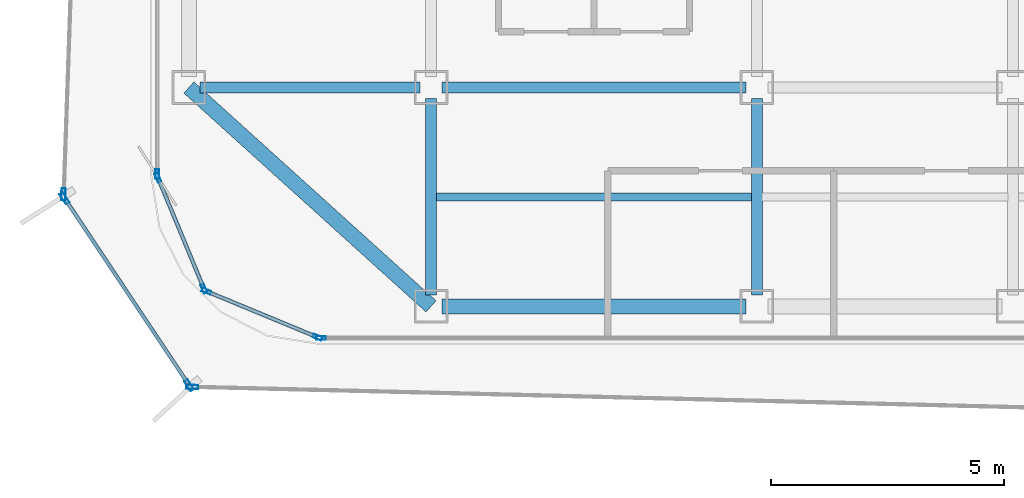
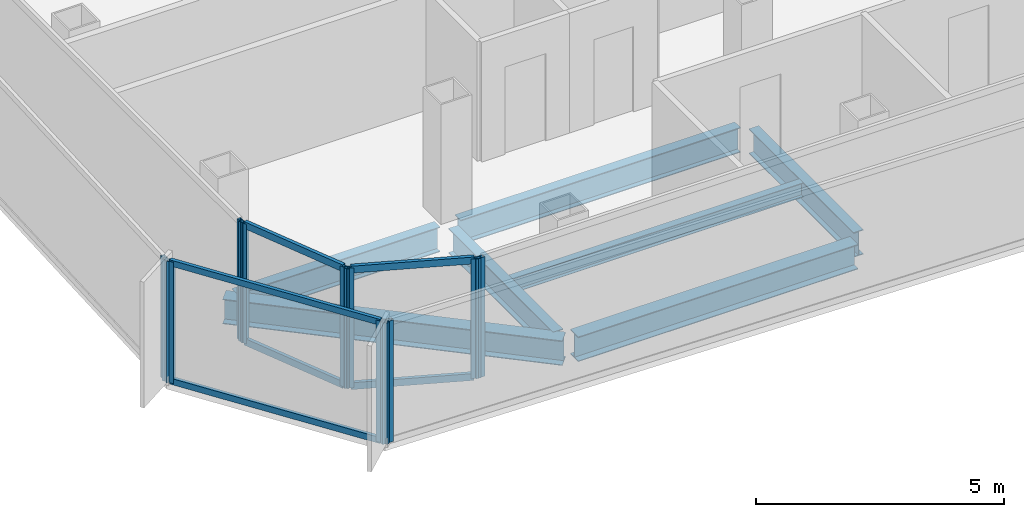
# One storey, part 2 of 15: 16 members, 7 beams, 7 elements without a shape of their own.
"""IFC4 building model written with IfcOpenShell, lengths in metres."""

import ifcopenshell
import ifcopenshell.guid

model = None  # the IFC model being written
_history = None  # IfcOwnerHistory: only IFC2X3 demands one
_inside = {}  # id of a spatial element -> (the spatial element, [elements in it])
_under = {}  # id of a project, library or spatial element -> (it, [spatial elements below it])
_declared = {}  # id of a project -> (the project, [libraries it declares])
_typed = {}  # id of a type object -> (the type object, [elements of that type])
_made_of = {}  # id of a material, layer set ... -> (it, [elements and type objects made of it])


def new_model(schema):
    """Start an empty IFC model of exactly this schema.

    Asked for "IFC4X3", IfcOpenShell would pick the latest addendum, in which some entities
    have other attributes; the version numbers below select the first issue.
    IFC2X3 requires an IfcOwnerHistory on every rooted entity: one is made here for all.
    """
    global model, _history
    if schema == "IFC4X3":
        model = ifcopenshell.file(schema_version=(4, 3, 0, 0))
    else:
        model = ifcopenshell.file(schema=schema)
    _inside.clear()
    _under.clear()
    _declared.clear()
    _typed.clear()
    _made_of.clear()
    _history = None
    if model.schema == "IFC2X3":
        org = make("IfcOrganization", Name="unknown")
        user = make(
            "IfcPersonAndOrganization",
            ThePerson=make("IfcPerson", FamilyName="unknown"),
            TheOrganization=org,
        )
        app = make(
            "IfcApplication",
            ApplicationDeveloper=org,
            Version="unknown",
            ApplicationFullName="unknown",
            ApplicationIdentifier="unknown",
        )
        _history = make(
            "IfcOwnerHistory",
            OwningUser=user,
            OwningApplication=app,
            ChangeAction="ADDED",
            CreationDate=0,
        )
    return model


def make(cls, **values):
    """One entity of the class cls with the attributes given. An attribute that is None is left unset."""
    return model.create_entity(
        cls, **{name: value for name, value in values.items() if value is not None}
    )


def rooted(cls, **values):
    """An entity with a GlobalId (a new one), such as an element, a storey or a relation."""
    return make(cls, GlobalId=ifcopenshell.guid.new(), OwnerHistory=_history, **values)


def si_unit(unit_type, name, prefix=None):
    """IfcSIUnit, for example si_unit("LENGTHUNIT", "METRE", prefix="MILLI")."""
    return make("IfcSIUnit", UnitType=unit_type, Prefix=prefix, Name=name)


def assignment(units):
    """IfcUnitAssignment: the units of a project."""
    return None if units is None else make("IfcUnitAssignment", Units=units)


def point(xyz):
    """IfcCartesianPoint."""
    return None if xyz is None else make("IfcCartesianPoint", Coordinates=xyz)


def direction(xyz):
    """IfcDirection."""
    return None if xyz is None else make("IfcDirection", DirectionRatios=xyz)


def frame(location, z_axis=None, x_axis=None):
    """IfcAxis2Placement3D, a coordinate frame: its origin and axes. An axis left out is left unset."""
    return make(
        "IfcAxis2Placement3D",
        Location=point(location),
        Axis=direction(z_axis),
        RefDirection=direction(x_axis),
    )


def frame_2d(location, x_axis=None):
    """IfcAxis2Placement2D, a coordinate frame in the plane: its origin and x axis."""
    return make(
        "IfcAxis2Placement2D", Location=point(location), RefDirection=direction(x_axis)
    )


def origin():
    """The frame at (0, 0, 0) with its axes left unset."""
    return frame((0.0, 0.0, 0.0))


def origin_2d():
    """The frame at (0, 0) in the plane with its x axis left unset."""
    return frame_2d((0.0, 0.0))


def place(relative_to, where):
    """IfcLocalPlacement: puts the frame where relative to a parent placement (None: the world)."""
    return make(
        "IfcLocalPlacement", PlacementRelTo=relative_to, RelativePlacement=where
    )


def context(
    kind, dimensions, precision=None, world=None, true_north=None, identifier=None
):
    """IfcGeometricRepresentationContext, for example the 3D "Model" context."""
    return make(
        "IfcGeometricRepresentationContext",
        ContextIdentifier=identifier,
        ContextType=kind,
        CoordinateSpaceDimension=dimensions,
        Precision=precision,
        WorldCoordinateSystem=world,
        TrueNorth=true_north,
    )


def subcontext(parent, identifier, kind, view, scale=None):
    """IfcGeometricRepresentationSubContext, for example "Body" below "Model"."""
    return make(
        "IfcGeometricRepresentationSubContext",
        ContextIdentifier=identifier,
        ContextType=kind,
        ParentContext=parent,
        TargetScale=scale,
        TargetView=view,
    )


def project(units=None, contexts=None):
    """IfcProject with its units and contexts."""
    return rooted(
        "IfcProject",
        Name="project",
        RepresentationContexts=contexts,
        UnitsInContext=assignment(units),
    )


def spatial(cls, under=None, at=None, **own):
    """A site, building, storey or space (cls), placed at a placement, below another one or the project."""
    s = rooted(cls, ObjectPlacement=at, **own)
    if under is not None:
        _under.setdefault(under.id(), (under, []))[1].append(s)
    return s


def profile(cls, at=None, kind="AREA", **sizes):
    """A parametric profile (cls). Its sizes go by their IFC names, for example OverallWidth=200.0."""
    return make(cls, ProfileType=kind, Position=at, **sizes)


def hollow_rectangle(**sizes):
    """IfcRectangleHollowProfileDef."""
    return profile("IfcRectangleHollowProfileDef", **sizes)


def i_section(**sizes):
    """IfcIShapeProfileDef."""
    return profile("IfcIShapeProfileDef", **sizes)


def extrude(swept, where, along, depth):
    """IfcExtrudedAreaSolid: the profile swept, set in the frame where, extruded along a direction by depth."""
    return make(
        "IfcExtrudedAreaSolid",
        SweptArea=swept,
        Position=where,
        ExtrudedDirection=direction(along),
        Depth=depth,
    )


def shape(context_of_items, identifier, shape_type, items):
    """IfcShapeRepresentation: the items that make up one representation, for example the "Body"."""
    return make(
        "IfcShapeRepresentation",
        ContextOfItems=context_of_items,
        RepresentationIdentifier=identifier,
        RepresentationType=shape_type,
        Items=items,
    )


def source(mapping_origin, context_of_items, identifier, shape_type, items):
    """IfcRepresentationMap: a shape defined once, which mapped items show again and again."""
    return make(
        "IfcRepresentationMap",
        MappingOrigin=mapping_origin,
        MappedRepresentation=shape(context_of_items, identifier, shape_type, items),
    )


def transform(
    local_origin,
    x_axis=None,
    y_axis=None,
    z_axis=None,
    scale=None,
    scale2=None,
    scale3=None,
    uniform=True,
):
    """IfcCartesianTransformationOperator3D, or its non-uniform kind. x_axis, y_axis, z_axis: its Axis1, 2, 3."""
    if uniform:
        return make(
            "IfcCartesianTransformationOperator3D",
            Axis1=direction(x_axis),
            Axis2=direction(y_axis),
            LocalOrigin=point(local_origin),
            Scale=scale,
            Axis3=direction(z_axis),
        )
    return make(
        "IfcCartesianTransformationOperator3DnonUniform",
        Axis1=direction(x_axis),
        Axis2=direction(y_axis),
        LocalOrigin=point(local_origin),
        Scale=scale,
        Axis3=direction(z_axis),
        Scale2=scale2,
        Scale3=scale3,
    )


def mapped(mapping_source, mapping_target):
    """IfcMappedItem: shows the shape of a source again, moved by a transform."""
    return make(
        "IfcMappedItem", MappingSource=mapping_source, MappingTarget=mapping_target
    )


def material(Name=None, Category=None):
    """IfcMaterial."""
    return make("IfcMaterial", Name=Name, Category=Category)


def layer(
    of_material, thickness, ventilated=None, Name=None, Category=None, Priority=None
):
    """IfcMaterialLayer: one layer of a wall or slab, of a material (None: an air gap)."""
    return make(
        "IfcMaterialLayer",
        Material=of_material,
        LayerThickness=thickness,
        IsVentilated=ventilated,
        Name=Name,
        Category=Category,
        Priority=Priority,
    )


def layer_set(layers, Name=None):
    """IfcMaterialLayerSet."""
    return make("IfcMaterialLayerSet", MaterialLayers=layers, LayerSetName=Name)


def material_profile(
    of_material, cross_section, Name=None, Category=None, Priority=None
):
    """IfcMaterialProfile: a cross section and its material."""
    return make(
        "IfcMaterialProfile",
        Name=Name,
        Material=of_material,
        Profile=cross_section,
        Priority=Priority,
        Category=Category,
    )


def profile_set(profiles, Name=None, composite=None):
    """IfcMaterialProfileSet."""
    return make(
        "IfcMaterialProfileSet",
        Name=Name,
        MaterialProfiles=profiles,
        CompositeProfile=composite,
    )


def made_of(thing, what):
    """Note that an element or type object is made of a material, layer set ...; save() writes the relation."""
    if what is not None:
        _made_of.setdefault(what.id(), (what, []))[1].append(thing)
    return thing


def type_object(cls, material=None, **own):
    """A type object (cls), such as IfcWallType, which elements share."""
    return made_of(rooted(cls, **own), material)


def element(
    cls,
    number,
    at=None,
    inside=None,
    cuts=None,
    type_object=None,
    material=None,
    context=None,
    identifier="Body",
    shape_type=None,
    held_by="IfcProductDefinitionShape",
    body=None,
    shapes=None,
    **own,
):
    """One element of the class cls, such as IfcWall. Its Tag is "e" and its number.

    at: its placement. inside: the storey or other place that contains it. cuts: it is an
    opening in that element (IfcRelVoidsElement). A single representation is given by context,
    identifier, shape_type and body (its items); several are given by shapes. held_by: the class
    of the entity that holds the representations. save() writes the other relations.
    """
    e = rooted(cls, Tag="e%d" % number, ObjectPlacement=at, **own)
    if body is not None:
        shapes = [shape(context, identifier, shape_type, body)]
    if shapes is not None:
        e.Representation = make(held_by, Representations=shapes)
    if inside is not None:
        _inside.setdefault(inside.id(), (inside, []))[1].append(e)
    if cuts is not None:
        rooted(
            "IfcRelVoidsElement", RelatingBuildingElement=cuts, RelatedOpeningElement=e
        )
    if type_object is not None:
        _typed.setdefault(type_object.id(), (type_object, []))[1].append(e)
    return made_of(e, material)


def aggregate(whole, parts):
    """IfcRelAggregates: a whole, such as a stair, and the parts it consists of."""
    return rooted("IfcRelAggregates", RelatingObject=whole, RelatedObjects=parts)


def save(model, path):
    """Write the relations noted so far, then the file.

    IfcRelAggregates (storeys below a building ...), IfcRelContainedInSpatialStructure (elements
    in a storey), IfcRelDefinesByType, IfcRelAssociatesMaterial and IfcRelDeclares: one each for
    every whole, place, type object, material and project.
    """
    for whole, parts in _under.values():
        aggregate(whole, parts)
    for where, things in _inside.values():
        rooted(
            "IfcRelContainedInSpatialStructure",
            RelatedElements=things,
            RelatingStructure=where,
        )
    for kind, things in _typed.values():
        rooted("IfcRelDefinesByType", RelatedObjects=things, RelatingType=kind)
    for what, things in _made_of.values():
        rooted("IfcRelAssociatesMaterial", RelatedObjects=things, RelatingMaterial=what)
    for by, libraries in _declared.values():
        rooted("IfcRelDeclares", RelatingContext=by, RelatedDefinitions=libraries)
    model.write(path)


model = new_model("IFC4")

# Units and contexts
model_context = context("Model", 3, precision=1e-05, world=origin(), true_north=direction((0.0, 1.0)))
body_context = subcontext(model_context, "Body", "Model", "MODEL_VIEW")
ifc_project = project(units=[si_unit("LENGTHUNIT", "METRE"), si_unit("AREAUNIT", "SQUARE_METRE"), si_unit("VOLUMEUNIT", "CUBIC_METRE"), si_unit("PLANEANGLEUNIT", "RADIAN"), si_unit("MASSUNIT", "GRAM", prefix="KILO")], contexts=[model_context])

# Site, building, storey
site_placement = place(None, origin())
site = spatial("IfcSite", under=ifc_project, at=site_placement, CompositionType="ELEMENT")
building_placement = place(site_placement, origin())
building = spatial("IfcBuilding", under=site, at=building_placement, Name="Kolveth Station Tower", CompositionType="ELEMENT")
storey_placement = place(building_placement, frame((0.0, 0.0, 199.60009765625)))
storey = spatial("IfcBuildingStorey", under=building, at=storey_placement, Name="L56", CompositionType="ELEMENT", Elevation=199.60009765625)

# Beams
ifc_material_1 = material(Name="Steel S355", Category="steel")
ifc_material_profile_1 = material_profile(ifc_material_1, i_section(OverallWidth=0.323974609375, OverallDepth=0.611083984375, WebThickness=0.0126953125, FlangeThickness=0.01904296875, at=origin_2d()), Name="W610x155")
ifc_profile_set_1 = profile_set([ifc_material_profile_1], Name="Steel S355")
beam_type_1 = type_object("IfcBeamType", Name="Beam_SP2", PredefinedType="SPANDREL", material=ifc_profile_set_1)
shared_shape_1 = source(origin(), body_context, "Body", "SweptSolid", [
    extrude(i_section(OverallWidth=0.323974609375, OverallDepth=0.611083984375, WebThickness=0.0126953125, FlangeThickness=0.01904296875, at=origin_2d()), origin(), (0.0, 0.0, 1.0), 7.00927734375),
])
beam_1_placement = place(storey_placement, frame((0.800048828125, 5.5, -0.5556640625), z_axis=(0.741874009795, -0.670539300557, 0.0), x_axis=(0.670539300557, 0.741874009795, 0.0)))
element("IfcBeam", 1, at=beam_1_placement, inside=storey, type_object=beam_type_1, Name="L56 Corner Edge Girder BM-L56-CNR-SW", PredefinedType="SPANDREL", context=body_context, shape_type="MappedRepresentation", body=[
    mapped(shared_shape_1, transform((0.0, 0.0, 0.0), x_axis=(1.0, 0.0, 0.0), y_axis=(0.0, 1.0, 0.0), z_axis=(0.0, 0.0, 1.0), scale=1.0)),
])
shared_shape_2 = source(origin(), body_context, "Body", "SweptSolid", [
    extrude(i_section(OverallWidth=0.323974609375, OverallDepth=0.611083984375, WebThickness=0.0126953125, FlangeThickness=0.01904296875, at=origin_2d()), origin(), (0.0, 0.0, 1.0), 6.52001953125),
])
beam_2_placement = place(storey_placement, frame((6.239990234375, 0.800048828125, -0.5556640625), z_axis=(1.0, 0.0, 0.0), x_axis=(0.0, 1.0, 0.0)))
element("IfcBeam", 2, at=beam_2_placement, inside=storey, type_object=beam_type_1, Name="L56 Perimeter Spandrel BM-L56-PS-1", PredefinedType="SPANDREL", context=body_context, shape_type="MappedRepresentation", body=[
    mapped(shared_shape_2, transform((0.0, 0.0, 0.0), x_axis=(1.0, 0.0, 0.0), y_axis=(0.0, 1.0, 0.0), z_axis=(0.0, 0.0, 1.0), scale=1.0)),
])
ifc_material_profile_2 = material_profile(ifc_material_1, i_section(OverallWidth=0.22900390625, OverallDepth=0.612060546875, WebThickness=0.011962890625, FlangeThickness=0.01953125, at=origin_2d()), Name="W610x125")
ifc_profile_set_2 = profile_set([ifc_material_profile_2], Name="Steel S355")
beam_type_2 = type_object("IfcBeamType", Name="Beam_B5", PredefinedType="BEAM", material=ifc_profile_set_2)
shared_shape_3 = source(origin(), body_context, "Body", "SweptSolid", [
    extrude(i_section(OverallWidth=0.22900390625, OverallDepth=0.612060546875, WebThickness=0.011962890625, FlangeThickness=0.01953125, at=origin_2d()), origin(), (0.0, 0.0, 1.0), 4.719970703125),
])
beam_3_placement = place(storey_placement, frame((1.0400390625, 5.5, -0.55615234375), z_axis=(1.0, 0.0, 0.0), x_axis=(0.0, 1.0, 0.0)))
element("IfcBeam", 3, at=beam_3_placement, inside=storey, type_object=beam_type_2, Name="L56 Primary Girder BM-L56-GY55-1", PredefinedType="BEAM", context=body_context, shape_type="MappedRepresentation", body=[
    mapped(shared_shape_3, transform((0.0, 0.0, 0.0), x_axis=(1.0, 0.0, 0.0), y_axis=(0.0, 1.0, 0.0), z_axis=(0.0, 0.0, 1.0), scale=1.0)),
])
shared_shape_4 = source(origin(), body_context, "Body", "SweptSolid", [
    extrude(i_section(OverallWidth=0.22900390625, OverallDepth=0.612060546875, WebThickness=0.011962890625, FlangeThickness=0.01953125, at=origin_2d()), origin(), (0.0, 0.0, 1.0), 6.52001953125),
])
beam_4_placement = place(storey_placement, frame((6.239990234375, 5.5, -0.55615234375), z_axis=(1.0, 0.0, 0.0), x_axis=(0.0, 1.0, 0.0)))
element("IfcBeam", 4, at=beam_4_placement, inside=storey, type_object=beam_type_2, Name="L56 Primary Girder BM-L56-GY55-2", PredefinedType="BEAM", context=body_context, shape_type="MappedRepresentation", body=[
    mapped(shared_shape_4, transform((0.0, 0.0, 0.0), x_axis=(1.0, 0.0, 0.0), y_axis=(0.0, 1.0, 0.0), z_axis=(0.0, 0.0, 1.0), scale=1.0)),
])
shared_shape_5 = source(origin(), body_context, "Body", "SweptSolid", [
    extrude(i_section(OverallWidth=0.22900390625, OverallDepth=0.612060546875, WebThickness=0.011962890625, FlangeThickness=0.01953125, at=origin_2d()), origin(), (0.0, 0.0, 1.0), 4.219970703125),
])
for number, where, z_axis, x_axis, name in (
    (5, (6.0, 1.0400390625, -0.55615234375), (0.0, 1.0, 0.0), (-1.0, 0.0, 0.0), "L56 Primary Girder BM-L56-GX60-1"),
    (6, (13.0, 1.0400390625, -0.55615234375), (0.0, 1.0, 0.0), (-1.0, 0.0, 0.0), "L56 Primary Girder BM-L56-GX130-1"),
):
    element("IfcBeam", number, at=place(storey_placement, frame(where, z_axis=z_axis, x_axis=x_axis)), inside=storey, type_object=beam_type_2, Name=name, PredefinedType="BEAM", context=body_context, shape_type="MappedRepresentation", body=[
        mapped(shared_shape_5, transform((0.0, 0.0, 0.0), x_axis=(1.0, 0.0, 0.0), y_axis=(0.0, 1.0, 0.0), z_axis=(0.0, 0.0, 1.0), scale=1.0)),
    ])
ifc_material_profile_3 = material_profile(ifc_material_1, i_section(OverallWidth=0.1708984375, OverallDepth=0.35205078125, WebThickness=0.0068359375, FlangeThickness=0.009765625, at=origin_2d()), Name="W360x44")
ifc_profile_set_3 = profile_set([ifc_material_profile_3], Name="Steel S355")
beam_type_3 = type_object("IfcBeamType", Name="Beam_J2", PredefinedType="JOIST", material=ifc_profile_set_3)
shared_shape_6 = source(origin(), body_context, "Body", "SweptSolid", [
    extrude(i_section(OverallWidth=0.1708984375, OverallDepth=0.35205078125, WebThickness=0.0068359375, FlangeThickness=0.009765625, at=origin_2d()), origin(), (0.0, 0.0, 1.0), 6.77490234375),
])
beam_5_placement = place(storey_placement, frame((6.112548828125, 3.14990234375, -0.426025390625), z_axis=(1.0, 0.0, 0.0), x_axis=(0.0, 1.0, 0.0)))
element("IfcBeam", 7, at=beam_5_placement, inside=storey, type_object=beam_type_3, Name="L56 Secondary Joist JST-L56-2-1", PredefinedType="JOIST", context=body_context, shape_type="MappedRepresentation", body=[
    mapped(shared_shape_6, transform((0.0, 0.0, 0.0), x_axis=(1.0, 0.0, 0.0), y_axis=(0.0, 1.0, 0.0), z_axis=(0.0, 0.0, 1.0), scale=1.0)),
])

# Curtain wall, member
ifc_material_2 = material(Name="Aluminium 6063-T6 and low-E dark glass", Category="aluminium")
ifc_layer_1 = layer(ifc_material_2, 0.18994140625)
ifc_layer_set_1 = layer_set([ifc_layer_1], Name="Aluminium 6063-T6 and low-E dark glass")
curtain_wall_type_1 = type_object("IfcCurtainWallType", Name="CurtainWall_CW-Z2", PredefinedType="NOTDEFINED", material=ifc_layer_set_1)
curtain_wall_1_placement = place(storey_placement, origin())
curtain_wall_1 = element("IfcCurtainWall", 8, at=curtain_wall_1_placement, inside=storey, type_object=curtain_wall_type_1, Name="L56 Inner Thermal Curtain Wall 9", PredefinedType="NOTDEFINED")
ifc_material_3 = material(Name="Black anodized aluminium 6063-T6", Category="aluminium")
ifc_material_profile_4 = material_profile(ifc_material_3, hollow_rectangle(XDim=0.080078125, YDim=0.199951171875, WallThickness=0.0048828125, at=origin_2d()), Name="ALU-80x200x5")
ifc_profile_set_4 = profile_set([ifc_material_profile_4], Name="Black anodized aluminium 6063-T6")
member_type_1 = type_object("IfcMemberType", Name="Mullion_ML2", PredefinedType="MULLION", material=ifc_profile_set_4)
shared_shape_7 = source(origin(), body_context, "Body", "SweptSolid", [
    extrude(hollow_rectangle(XDim=0.080078125, YDim=0.199951171875, WallThickness=0.0048828125, at=origin_2d()), origin(), (0.0, 0.0, 1.0), 2.949951171875),
])
member_1_placement = place(storey_placement, frame((0.1201171875, 3.639892578125, 0.0), z_axis=(0.0, 0.0, 1.0), x_axis=(1.0, 0.0, 0.0)))
member_1 = element("IfcMember", 9, at=member_1_placement, type_object=member_type_1, Name="CW-Z2 mullion 2", PredefinedType="MULLION", context=body_context, shape_type="MappedRepresentation", body=[
    mapped(shared_shape_7, transform((0.0, 0.0, 0.0), x_axis=(1.0, 0.0, 0.0), y_axis=(0.0, 1.0, 0.0), z_axis=(0.0, 0.0, 1.0), scale=1.0)),
])
aggregate(curtain_wall_1, [member_1])

# Curtain wall, members
curtain_wall_2_placement = place(storey_placement, origin())
curtain_wall_2 = element("IfcCurtainWall", 10, at=curtain_wall_2_placement, inside=storey, type_object=curtain_wall_type_1, Name="L56 Inner Thermal Curtain Wall 10", PredefinedType="NOTDEFINED")
member_2_placement = place(storey_placement, frame((0.13525390625, 3.56298828125, 0.0), z_axis=(0.0, 0.0, 1.0), x_axis=(0.923873600544, 0.382697753087, 0.0)))
member_2 = element("IfcMember", 11, at=member_2_placement, type_object=member_type_1, Name="CW-Z2 mullion 1", PredefinedType="MULLION", context=body_context, shape_type="MappedRepresentation", body=[
    mapped(shared_shape_7, transform((0.0, 0.0, 0.0), x_axis=(1.0, 0.0, 0.0), y_axis=(0.0, 1.0, 0.0), z_axis=(0.0, 0.0, 1.0), scale=1.0)),
])
member_3_placement = place(storey_placement, frame((1.1240234375, 1.17626953125, 0.0), z_axis=(0.0, 0.0, 1.0), x_axis=(0.923873600544, 0.382697753087, 0.0)))
member_3 = element("IfcMember", 12, at=member_3_placement, type_object=member_type_1, Name="CW-Z2 mullion 2", PredefinedType="MULLION", context=body_context, shape_type="MappedRepresentation", body=[
    mapped(shared_shape_7, transform((0.0, 0.0, 0.0), x_axis=(1.0, 0.0, 0.0), y_axis=(0.0, 1.0, 0.0), z_axis=(0.0, 0.0, 1.0), scale=1.0)),
])

curtain_wall_3_placement = place(storey_placement, origin())
curtain_wall_3 = element("IfcCurtainWall", 13, at=curtain_wall_3_placement, inside=storey, type_object=curtain_wall_type_1, Name="L56 Inner Thermal Curtain Wall 11", PredefinedType="NOTDEFINED")
member_4_placement = place(storey_placement, frame((1.17626953125, 1.1240234375, 0.0), z_axis=(0.0, 0.0, 1.0), x_axis=(0.382697753087, 0.923873600544, 0.0)))
member_4 = element("IfcMember", 14, at=member_4_placement, type_object=member_type_1, Name="CW-Z2 mullion 1", PredefinedType="MULLION", context=body_context, shape_type="MappedRepresentation", body=[
    mapped(shared_shape_7, transform((0.0, 0.0, 0.0), x_axis=(1.0, 0.0, 0.0), y_axis=(0.0, 1.0, 0.0), z_axis=(0.0, 0.0, 1.0), scale=1.0)),
])
member_5_placement = place(storey_placement, frame((3.56298828125, 0.13525390625, 0.0), z_axis=(0.0, 0.0, 1.0), x_axis=(0.382697753087, 0.923873600544, 0.0)))
member_5 = element("IfcMember", 15, at=member_5_placement, type_object=member_type_1, Name="CW-Z2 mullion 2", PredefinedType="MULLION", context=body_context, shape_type="MappedRepresentation", body=[
    mapped(shared_shape_7, transform((0.0, 0.0, 0.0), x_axis=(1.0, 0.0, 0.0), y_axis=(0.0, 1.0, 0.0), z_axis=(0.0, 0.0, 1.0), scale=1.0)),
])

# Curtain wall, member
curtain_wall_4_placement = place(storey_placement, origin())
curtain_wall_4 = element("IfcCurtainWall", 16, at=curtain_wall_4_placement, inside=storey, type_object=curtain_wall_type_1, Name="L56 Inner Thermal Curtain Wall 12", PredefinedType="NOTDEFINED")
member_6_placement = place(storey_placement, frame((3.639892578125, 0.1201171875, 0.0), z_axis=(0.0, 0.0, 1.0), x_axis=(0.0, 1.0, 0.0)))
member_6 = element("IfcMember", 17, at=member_6_placement, type_object=member_type_1, Name="CW-Z2 mullion 1", PredefinedType="MULLION", context=body_context, shape_type="MappedRepresentation", body=[
    mapped(shared_shape_7, transform((0.0, 0.0, 0.0), x_axis=(1.0, 0.0, 0.0), y_axis=(0.0, 1.0, 0.0), z_axis=(0.0, 0.0, 1.0), scale=1.0)),
])
aggregate(curtain_wall_4, [member_6])

ifc_material_4 = material(Name="Black anodized aluminium 6063-T6 and dark solar glass", Category="aluminium")
ifc_layer_2 = layer(ifc_material_4, 0.159912109375)
ifc_layer_set_2 = layer_set([ifc_layer_2], Name="Black anodized aluminium 6063-T6 and dark solar glass")
curtain_wall_type_2 = type_object("IfcCurtainWallType", Name="OUTER SKIN CW-OS", PredefinedType="NOTDEFINED", material=ifc_layer_set_2)
curtain_wall_5_placement = place(storey_placement, origin())
curtain_wall_5 = element("IfcCurtainWall", 18, at=curtain_wall_5_placement, inside=storey, type_object=curtain_wall_type_2, Name="L56 Outer Ventilated Skin Curtain Wall 6", PredefinedType="NOTDEFINED")
ifc_material_profile_5 = material_profile(ifc_material_3, hollow_rectangle(XDim=0.090087890625, YDim=0.260009765625, WallThickness=0.0048828125, at=origin_2d()), Name="ALU-90x260x5")
ifc_profile_set_5 = profile_set([ifc_material_profile_5], Name="Black anodized aluminium 6063-T6")
member_type_2 = type_object("IfcMemberType", Name="FIN MULLION ML-OS", PredefinedType="MULLION", material=ifc_profile_set_5)
shared_shape_8 = source(origin(), body_context, "Body", "SweptSolid", [
    extrude(hollow_rectangle(XDim=0.090087890625, YDim=0.260009765625, WallThickness=0.0048828125, at=origin_2d()), origin(), (0.0, 0.0, 1.0), 2.989990234375),
])
member_7_placement = place(storey_placement, frame((-1.89453125, 3.203857421875, 0.0), z_axis=(0.0, 0.0, 1.0), x_axis=(0.999395519047, -0.034764874631, 0.0)))
member_7 = element("IfcMember", 19, at=member_7_placement, type_object=member_type_2, Name="CW-OS mullion 2", PredefinedType="MULLION", context=body_context, shape_type="MappedRepresentation", body=[
    mapped(shared_shape_8, transform((0.0, 0.0, 0.0), x_axis=(1.0, 0.0, 0.0), y_axis=(0.0, 1.0, 0.0), z_axis=(0.0, 0.0, 1.0), scale=1.0)),
])
aggregate(curtain_wall_5, [member_7])

# Curtain wall, members
curtain_wall_6_placement = place(storey_placement, origin())
curtain_wall_6 = element("IfcCurtainWall", 20, at=curtain_wall_6_placement, inside=storey, type_object=curtain_wall_type_2, Name="L56 Outer Ventilated Skin Curtain Wall 7", PredefinedType="NOTDEFINED")
member_8_placement = place(storey_placement, frame((-1.87109375, 3.12158203125, 0.0), z_axis=(0.0, 0.0, 1.0), x_axis=(0.832156686727, 0.554540574472, 0.0)))
member_8 = element("IfcMember", 21, at=member_8_placement, type_object=member_type_2, Name="CW-OS mullion 1", PredefinedType="MULLION", context=body_context, shape_type="MappedRepresentation", body=[
    mapped(shared_shape_8, transform((0.0, 0.0, 0.0), x_axis=(1.0, 0.0, 0.0), y_axis=(0.0, 1.0, 0.0), z_axis=(0.0, 0.0, 1.0), scale=1.0)),
])
member_9_placement = place(storey_placement, frame((0.804931640625, -0.894287109375, 0.0), z_axis=(0.0, 0.0, 1.0), x_axis=(0.832156686727, 0.554540574472, 0.0)))
member_9 = element("IfcMember", 22, at=member_9_placement, type_object=member_type_2, Name="CW-OS mullion 2", PredefinedType="MULLION", context=body_context, shape_type="MappedRepresentation", body=[
    mapped(shared_shape_8, transform((0.0, 0.0, 0.0), x_axis=(1.0, 0.0, 0.0), y_axis=(0.0, 1.0, 0.0), z_axis=(0.0, 0.0, 1.0), scale=1.0)),
])

# Curtain wall, member
curtain_wall_7_placement = place(storey_placement, origin())
curtain_wall_7 = element("IfcCurtainWall", 23, at=curtain_wall_7_placement, inside=storey, type_object=curtain_wall_type_2, Name="L56 Outer Ventilated Skin Curtain Wall 8", PredefinedType="NOTDEFINED")
member_10_placement = place(storey_placement, frame((0.875, -0.932861328125, 0.0), z_axis=(0.0, 0.0, 1.0), x_axis=(0.024639251977, 0.999696407547, 0.0)))
member_10 = element("IfcMember", 24, at=member_10_placement, type_object=member_type_2, Name="CW-OS mullion 1", PredefinedType="MULLION", context=body_context, shape_type="MappedRepresentation", body=[
    mapped(shared_shape_8, transform((0.0, 0.0, 0.0), x_axis=(1.0, 0.0, 0.0), y_axis=(0.0, 1.0, 0.0), z_axis=(0.0, 0.0, 1.0), scale=1.0)),
])
aggregate(curtain_wall_7, [member_10])

# Member
ifc_material_profile_6 = material_profile(ifc_material_3, hollow_rectangle(XDim=0.080078125, YDim=0.169921875, WallThickness=0.0048828125, at=origin_2d()), Name="ALU-80x170x5")
ifc_profile_set_6 = profile_set([ifc_material_profile_6], Name="Black anodized aluminium 6063-T6")
member_type_3 = type_object("IfcMemberType", Name="Transom_TR2", PredefinedType="USERDEFINED", material=ifc_profile_set_6)
shared_shape_9 = source(origin(), body_context, "Body", "SweptSolid", [
    extrude(hollow_rectangle(XDim=0.080078125, YDim=0.169921875, WallThickness=0.0048828125, at=origin_2d()), origin(), (0.0, 0.0, 1.0), 2.50341796875),
])
member_11_placement = place(storey_placement, frame((0.150634765625, 3.526123046875, 0.039794921875), z_axis=(0.382661849723, -0.923888472039, 0.0), x_axis=(0.923888472039, 0.382661849723, 0.0)))
member_11 = element("IfcMember", 25, at=member_11_placement, type_object=member_type_3, Name="CW-Z2 transom 1.1", ObjectType="TRANSOM", PredefinedType="USERDEFINED", context=body_context, shape_type="MappedRepresentation", body=[
    mapped(shared_shape_9, transform((0.0, 0.0, 0.0), x_axis=(1.0, 0.0, 0.0), y_axis=(0.0, 1.0, 0.0), z_axis=(0.0, 0.0, 1.0), scale=1.0)),
])

member_12_placement = place(storey_placement, frame((0.150634765625, 3.526123046875, 2.909912109375), z_axis=(0.382661849723, -0.923888472039, 0.0), x_axis=(0.923888472039, 0.382661849723, 0.0)))
member_12 = element("IfcMember", 26, at=member_12_placement, type_object=member_type_3, Name="CW-Z2 transom 1.2", ObjectType="TRANSOM", PredefinedType="USERDEFINED", context=body_context, shape_type="MappedRepresentation", body=[
    mapped(shared_shape_9, transform((0.0, 0.0, 0.0), x_axis=(1.0, 0.0, 0.0), y_axis=(0.0, 1.0, 0.0), z_axis=(0.0, 0.0, 1.0), scale=1.0)),
])

aggregate(curtain_wall_2, [member_2, member_3, member_11, member_12])

member_13_placement = place(storey_placement, frame((1.213134765625, 1.108642578125, 0.039794921875), z_axis=(0.923888472039, -0.382661849723, 0.0), x_axis=(0.382661849723, 0.923888472039, 0.0)))
member_13 = element("IfcMember", 27, at=member_13_placement, type_object=member_type_3, Name="CW-Z2 transom 1.1", ObjectType="TRANSOM", PredefinedType="USERDEFINED", context=body_context, shape_type="MappedRepresentation", body=[
    mapped(shared_shape_9, transform((0.0, 0.0, 0.0), x_axis=(1.0, 0.0, 0.0), y_axis=(0.0, 1.0, 0.0), z_axis=(0.0, 0.0, 1.0), scale=1.0)),
])

member_14_placement = place(storey_placement, frame((1.213134765625, 1.108642578125, 2.909912109375), z_axis=(0.923888472039, -0.382661849723, 0.0), x_axis=(0.382661849723, 0.923888472039, 0.0)))
member_14 = element("IfcMember", 28, at=member_14_placement, type_object=member_type_3, Name="CW-Z2 transom 1.2", ObjectType="TRANSOM", PredefinedType="USERDEFINED", context=body_context, shape_type="MappedRepresentation", body=[
    mapped(shared_shape_9, transform((0.0, 0.0, 0.0), x_axis=(1.0, 0.0, 0.0), y_axis=(0.0, 1.0, 0.0), z_axis=(0.0, 0.0, 1.0), scale=1.0)),
])

aggregate(curtain_wall_3, [member_4, member_5, member_13, member_14])

ifc_material_profile_7 = material_profile(ifc_material_3, hollow_rectangle(XDim=0.080078125, YDim=0.14990234375, WallThickness=0.0048828125, at=origin_2d()), Name="ALU-80x150x5")
ifc_profile_set_7 = profile_set([ifc_material_profile_7], Name="Black anodized aluminium 6063-T6")
member_type_4 = type_object("IfcMemberType", Name="Transom_TR-OS", PredefinedType="USERDEFINED", material=ifc_profile_set_7)
shared_shape_10 = source(origin(), body_context, "Body", "SweptSolid", [
    extrude(hollow_rectangle(XDim=0.080078125, YDim=0.14990234375, WallThickness=0.0048828125, at=origin_2d()), origin(), (0.0, 0.0, 1.0), 4.735595703125),
])
member_15_placement = place(storey_placement, frame((-1.84619140625, 3.083984375, 0.039794921875), z_axis=(0.554569320823, -0.83213752974, 0.0), x_axis=(0.83213752974, 0.554569320823, 0.0)))
member_15 = element("IfcMember", 29, at=member_15_placement, type_object=member_type_4, Name="CW-OS transom 1.1", ObjectType="TRANSOM", PredefinedType="USERDEFINED", context=body_context, shape_type="MappedRepresentation", body=[
    mapped(shared_shape_10, transform((0.0, 0.0, 0.0), x_axis=(1.0, 0.0, 0.0), y_axis=(0.0, 1.0, 0.0), z_axis=(0.0, 0.0, 1.0), scale=1.0)),
])

member_16_placement = place(storey_placement, frame((-1.84619140625, 3.083984375, 2.949951171875), z_axis=(0.554569320823, -0.83213752974, 0.0), x_axis=(0.83213752974, 0.554569320823, 0.0)))
member_16 = element("IfcMember", 30, at=member_16_placement, type_object=member_type_4, Name="CW-OS transom 1.2", ObjectType="TRANSOM", PredefinedType="USERDEFINED", context=body_context, shape_type="MappedRepresentation", body=[
    mapped(shared_shape_10, transform((0.0, 0.0, 0.0), x_axis=(1.0, 0.0, 0.0), y_axis=(0.0, 1.0, 0.0), z_axis=(0.0, 0.0, 1.0), scale=1.0)),
])

aggregate(curtain_wall_6, [member_8, member_9, member_15, member_16])

save(model, "model.ifc")
